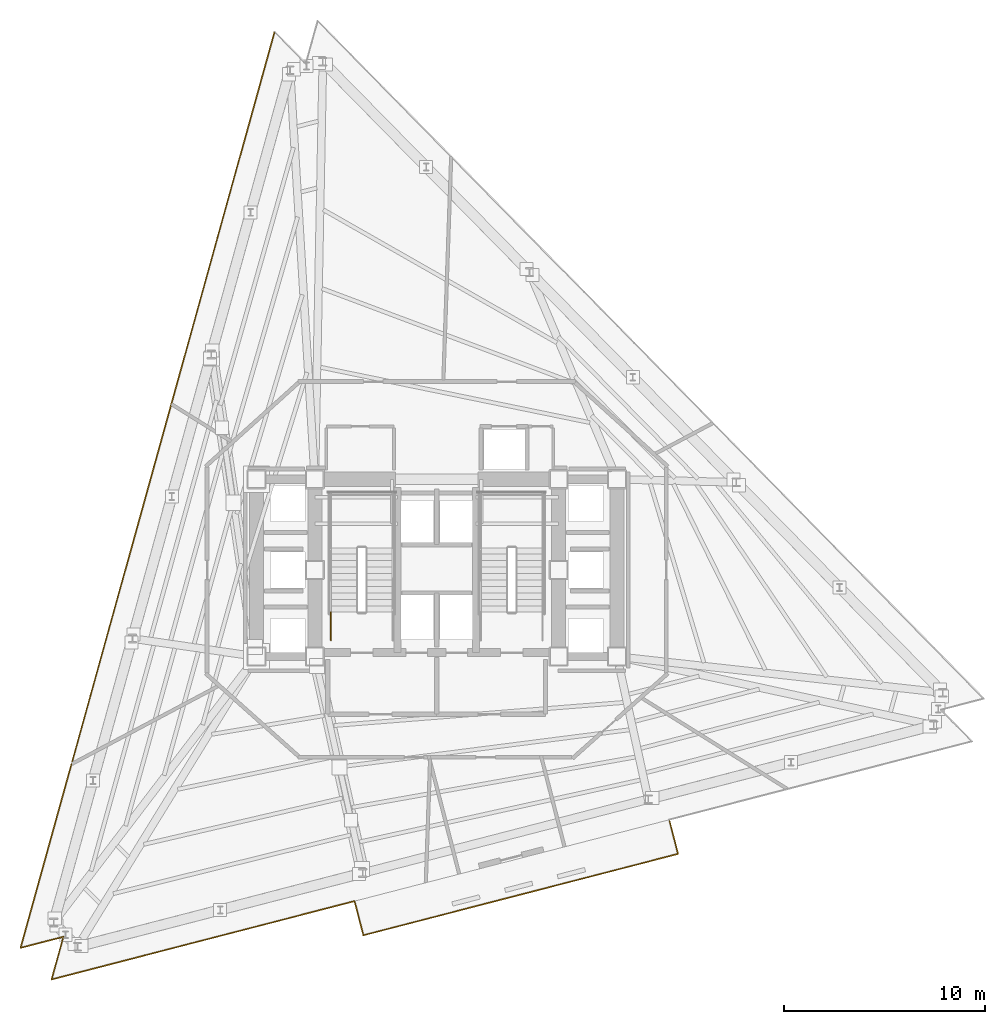
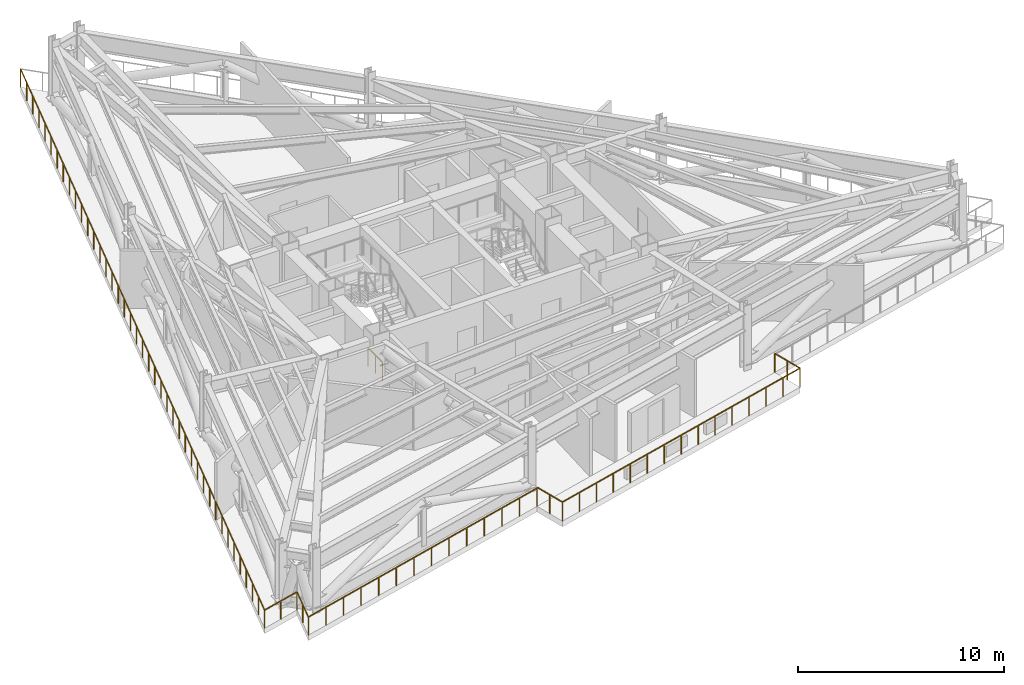
# One storey, part 9 of 11: 6 railings.
"""IFC4 building model written with IfcOpenShell, lengths in metres."""

from ifc_helpers import new_model, si_unit, direction, frame, origin, origin_2d, place, context, subcontext, project, spatial, rectangle, extrude, material, layer, layer_set, type_object, element, save


model = new_model("IFC4")

# Units and contexts
model_context = context("Model", 3, precision=1e-05, world=origin(), true_north=direction((0.0, 1.0)))
body_context = subcontext(model_context, "Body", "Model", "MODEL_VIEW")
ifc_project = project(units=[si_unit("LENGTHUNIT", "METRE"), si_unit("AREAUNIT", "SQUARE_METRE"), si_unit("VOLUMEUNIT", "CUBIC_METRE"), si_unit("PLANEANGLEUNIT", "RADIAN"), si_unit("MASSUNIT", "GRAM", prefix="KILO")], contexts=[model_context])

# Site, building, storey
site_placement = place(None, origin())
site = spatial("IfcSite", under=ifc_project, at=site_placement, CompositionType="ELEMENT")
building_placement = place(site_placement, origin())
building = spatial("IfcBuilding", under=site, at=building_placement, Name="Rocaltana Carrier Exchange", CompositionType="ELEMENT")
storey_placement = place(building_placement, frame((0.0, 0.0, 100.800048828125)))
storey = spatial("IfcBuildingStorey", under=building, at=storey_placement, Name="L31", CompositionType="ELEMENT", Elevation=100.800048828125)

# Railings
ifc_material_1 = material(Name="Anodised Aluminium 6063-T6 & Laminated Glass", Category="aluminium")
ifc_layer_1 = layer(ifc_material_1, 0.070068359375)
ifc_layer_set_1 = layer_set([ifc_layer_1], Name="Anodised Aluminium 6063-T6 & Laminated Glass")
railing_type_1 = type_object("IfcRailingType", Name="Sky-Garden Balustrade Guardrail 1150", PredefinedType="BALUSTRADE", material=ifc_layer_set_1)
railing_1_placement = place(storey_placement, frame((-4.080078125, -16.44091796875, 0.0)))
element("IfcRailing", 1, at=railing_1_placement, inside=storey, type_object=railing_type_1, Name="L31 Sky Garden Balustrade", PredefinedType="BALUSTRADE", context=body_context, shape_type="SweptSolid", body=[
    extrude(rectangle(XDim=0.048095703125, YDim=0.048095703125, at=origin_2d()), frame((0.0, 0.0, 1.1259765625), z_axis=(0.250274604743, -0.968174892373, 0.0), x_axis=(0.968174892373, 0.250274604743, 0.0)), (0.0, 0.0, 1.0), 1.75),
    extrude(rectangle(XDim=0.048095703125, YDim=0.048095703125, at=origin_2d()), frame((0.43798828125, -1.6943359375, 1.1259765625), z_axis=(0.968147038102, 0.250382332871, 0.0), x_axis=(-0.250382332871, 0.968147038102, 0.0)), (0.0, 0.0, 1.0), 16.133544921875),
    extrude(rectangle(XDim=0.048095703125, YDim=0.048095703125, at=origin_2d()), frame((16.0576171875, 2.34521484375, 1.1259765625), z_axis=(-0.250405366043, 0.968141080968, 0.0), x_axis=(-0.968141080968, -0.250405366043, 0.0)), (0.0, 0.0, 1.0), 1.75),
    extrude(rectangle(XDim=0.0419921875, YDim=0.0419921875, at=origin_2d()), origin(), (0.0, 0.0, 1.0), 1.101806640625),
    extrude(rectangle(XDim=0.0419921875, YDim=0.0419921875, at=origin_2d()), frame((0.218994140625, -0.84716796875, 0.0)), (0.0, 0.0, 1.0), 1.101806640625),
    extrude(rectangle(XDim=0.0419921875, YDim=0.0419921875, at=origin_2d()), frame((0.43798828125, -1.6943359375, 0.0)), (0.0, 0.0, 1.0), 1.101806640625),
    extrude(rectangle(XDim=0.0419921875, YDim=0.0419921875, at=origin_2d()), frame((1.5537109375, -1.40576171875, 0.0)), (0.0, 0.0, 1.0), 1.101806640625),
    extrude(rectangle(XDim=0.0419921875, YDim=0.0419921875, at=origin_2d()), frame((2.66943359375, -1.1171875, 0.0)), (0.0, 0.0, 1.0), 1.101806640625),
    extrude(rectangle(XDim=0.0419921875, YDim=0.0419921875, at=origin_2d()), frame((3.78515625, -0.82861328125, 0.0)), (0.0, 0.0, 1.0), 1.101806640625),
    extrude(rectangle(XDim=0.0419921875, YDim=0.0419921875, at=origin_2d()), frame((4.900634765625, -0.540283203125, 0.0)), (0.0, 0.0, 1.0), 1.101806640625),
    extrude(rectangle(XDim=0.0419921875, YDim=0.0419921875, at=origin_2d()), frame((6.016357421875, -0.251708984375, 0.0)), (0.0, 0.0, 1.0), 1.101806640625),
    extrude(rectangle(XDim=0.0419921875, YDim=0.0419921875, at=origin_2d()), frame((7.132080078125, 0.036865234375, 0.0)), (0.0, 0.0, 1.0), 1.101806640625),
    extrude(rectangle(XDim=0.0419921875, YDim=0.0419921875, at=origin_2d()), frame((8.247802734375, 0.325439453125, 0.0)), (0.0, 0.0, 1.0), 1.101806640625),
    extrude(rectangle(XDim=0.0419921875, YDim=0.0419921875, at=origin_2d()), frame((9.363525390625, 0.614013671875, 0.0)), (0.0, 0.0, 1.0), 1.101806640625),
    extrude(rectangle(XDim=0.0419921875, YDim=0.0419921875, at=origin_2d()), frame((10.479248046875, 0.902587890625, 0.0)), (0.0, 0.0, 1.0), 1.101806640625),
    extrude(rectangle(XDim=0.0419921875, YDim=0.0419921875, at=origin_2d()), frame((11.594970703125, 1.191162109375, 0.0)), (0.0, 0.0, 1.0), 1.101806640625),
    extrude(rectangle(XDim=0.0419921875, YDim=0.0419921875, at=origin_2d()), frame((12.71044921875, 1.4794921875, 0.0)), (0.0, 0.0, 1.0), 1.101806640625),
    extrude(rectangle(XDim=0.0419921875, YDim=0.0419921875, at=origin_2d()), frame((13.826171875, 1.76806640625, 0.0)), (0.0, 0.0, 1.0), 1.101806640625),
    extrude(rectangle(XDim=0.0419921875, YDim=0.0419921875, at=origin_2d()), frame((14.94189453125, 2.056640625, 0.0)), (0.0, 0.0, 1.0), 1.101806640625),
    extrude(rectangle(XDim=0.0419921875, YDim=0.0419921875, at=origin_2d()), frame((16.0576171875, 2.34521484375, 0.0)), (0.0, 0.0, 1.0), 1.101806640625),
    extrude(rectangle(XDim=0.0419921875, YDim=0.0419921875, at=origin_2d()), frame((15.83837890625, 3.1923828125, 0.0)), (0.0, 0.0, 1.0), 1.101806640625),
    extrude(rectangle(XDim=0.0419921875, YDim=0.0419921875, at=origin_2d()), frame((15.619384765625, 4.03955078125, 0.0)), (0.0, 0.0, 1.0), 1.101806640625),
])
ifc_material_2 = material(Name="Powder-Coated Aluminium 6063-T6", Category="aluminium")
ifc_layer_2 = layer(ifc_material_2, 0.048095703125)
ifc_layer_set_2 = layer_set([ifc_layer_2], Name="Powder-Coated Aluminium 6063-T6")
railing_type_2 = type_object("IfcRailingType", Name="Stair Well Guardrail 1100", PredefinedType="GUARDRAIL", material=ifc_layer_set_2)
railing_2_placement = place(storey_placement, frame((-5.25, -3.5, 0.0)))
element("IfcRailing", 2, at=railing_2_placement, inside=storey, type_object=railing_type_2, Name="L31 ST-1 stair guard 9", PredefinedType="GUARDRAIL", context=body_context, shape_type="SweptSolid", body=[
    extrude(rectangle(XDim=0.048095703125, YDim=0.048095703125, at=origin_2d()), frame((0.0, 0.0, 1.076171875), z_axis=(0.0, 1.0, 0.0), x_axis=(-1.0, 0.0, 0.0)), (0.0, 0.0, 1.0), 1.39990234375),
    extrude(rectangle(XDim=0.0419921875, YDim=0.0419921875, at=origin_2d()), origin(), (0.0, 0.0, 1.0), 1.052001953125),
    extrude(rectangle(XDim=0.0419921875, YDim=0.0419921875, at=origin_2d()), frame((0.0, 0.699951171875, 0.0)), (0.0, 0.0, 1.0), 1.052001953125),
    extrude(rectangle(XDim=0.0419921875, YDim=0.0419921875, at=origin_2d()), frame((0.0, 1.39990234375, 0.0)), (0.0, 0.0, 1.0), 1.052001953125),
])
ifc_material_3 = material(Name="Powder-Coated Aluminium 6063-T6", Category="aluminium")
ifc_layer_3 = layer(ifc_material_3, 0.06005859375)
ifc_layer_set_3 = layer_set([ifc_layer_3], Name="Powder-Coated Aluminium 6063-T6")
railing_type_3 = type_object("IfcRailingType", Name="Wind-Floor & Terrace Perimeter Guardrail 1100", PredefinedType="GUARDRAIL", material=ifc_layer_set_3)
railing_3_placement = place(storey_placement, frame((-8.047119140625, 26.722412109375, 0.0)))
element("IfcRailing", 3, at=railing_3_placement, inside=storey, type_object=railing_type_3, Name="L31 Wind Perimeter Guardrail 6", PredefinedType="GUARDRAIL", context=body_context, shape_type="SweptSolid", body=[
    extrude(rectangle(XDim=0.048095703125, YDim=0.048095703125, at=origin_2d()), frame((0.0, 0.0, 1.076171875), z_axis=(-0.267235674069, -0.963631202538, 0.0), x_axis=(0.963631202538, -0.267235674069, 0.0)), (0.0, 0.0, 1.0), 47.199951171875),
    extrude(rectangle(XDim=0.0419921875, YDim=0.0419921875, at=origin_2d()), origin(), (0.0, 0.0, 1.0), 1.052001953125),
    extrude(rectangle(XDim=0.0419921875, YDim=0.0419921875, at=origin_2d()), frame((-0.3154296875, -1.13720703125, 0.0)), (0.0, 0.0, 1.0), 1.052001953125),
    extrude(rectangle(XDim=0.0419921875, YDim=0.0419921875, at=origin_2d()), frame((-0.630615234375, -2.274169921875, 0.0)), (0.0, 0.0, 1.0), 1.052001953125),
    extrude(rectangle(XDim=0.0419921875, YDim=0.0419921875, at=origin_2d()), frame((-0.946044921875, -3.4111328125, 0.0)), (0.0, 0.0, 1.0), 1.052001953125),
    extrude(rectangle(XDim=0.0419921875, YDim=0.0419921875, at=origin_2d()), frame((-1.26123046875, -4.54833984375, 0.0)), (0.0, 0.0, 1.0), 1.052001953125),
    extrude(rectangle(XDim=0.0419921875, YDim=0.0419921875, at=origin_2d()), frame((-1.57666015625, -5.685546875, 0.0)), (0.0, 0.0, 1.0), 1.052001953125),
    extrude(rectangle(XDim=0.0419921875, YDim=0.0419921875, at=origin_2d()), frame((-1.89208984375, -6.822509765625, 0.0)), (0.0, 0.0, 1.0), 1.052001953125),
    extrude(rectangle(XDim=0.0419921875, YDim=0.0419921875, at=origin_2d()), frame((-2.207275390625, -7.95947265625, 0.0)), (0.0, 0.0, 1.0), 1.052001953125),
    extrude(rectangle(XDim=0.0419921875, YDim=0.0419921875, at=origin_2d()), frame((-2.522705078125, -9.0966796875, 0.0)), (0.0, 0.0, 1.0), 1.052001953125),
    extrude(rectangle(XDim=0.0419921875, YDim=0.0419921875, at=origin_2d()), frame((-2.838134765625, -10.23388671875, 0.0)), (0.0, 0.0, 1.0), 1.052001953125),
    extrude(rectangle(XDim=0.0419921875, YDim=0.0419921875, at=origin_2d()), frame((-3.1533203125, -11.370849609375, 0.0)), (0.0, 0.0, 1.0), 1.052001953125),
    extrude(rectangle(XDim=0.0419921875, YDim=0.0419921875, at=origin_2d()), frame((-3.46875, -12.508056640625, 0.0)), (0.0, 0.0, 1.0), 1.052001953125),
    extrude(rectangle(XDim=0.0419921875, YDim=0.0419921875, at=origin_2d()), frame((-3.7841796875, -13.64501953125, 0.0)), (0.0, 0.0, 1.0), 1.052001953125),
    extrude(rectangle(XDim=0.0419921875, YDim=0.0419921875, at=origin_2d()), frame((-4.099365234375, -14.7822265625, 0.0)), (0.0, 0.0, 1.0), 1.052001953125),
    extrude(rectangle(XDim=0.0419921875, YDim=0.0419921875, at=origin_2d()), frame((-4.414794921875, -15.919189453125, 0.0)), (0.0, 0.0, 1.0), 1.052001953125),
    extrude(rectangle(XDim=0.0419921875, YDim=0.0419921875, at=origin_2d()), frame((-4.72998046875, -17.05615234375, 0.0)), (0.0, 0.0, 1.0), 1.052001953125),
    extrude(rectangle(XDim=0.0419921875, YDim=0.0419921875, at=origin_2d()), frame((-5.04541015625, -18.193359375, 0.0)), (0.0, 0.0, 1.0), 1.052001953125),
    extrude(rectangle(XDim=0.0419921875, YDim=0.0419921875, at=origin_2d()), frame((-5.36083984375, -19.33056640625, 0.0)), (0.0, 0.0, 1.0), 1.052001953125),
    extrude(rectangle(XDim=0.0419921875, YDim=0.0419921875, at=origin_2d()), frame((-5.676025390625, -20.467529296875, 0.0)), (0.0, 0.0, 1.0), 1.052001953125),
    extrude(rectangle(XDim=0.0419921875, YDim=0.0419921875, at=origin_2d()), frame((-5.991455078125, -21.6044921875, 0.0)), (0.0, 0.0, 1.0), 1.052001953125),
    extrude(rectangle(XDim=0.0419921875, YDim=0.0419921875, at=origin_2d()), frame((-6.306640625, -22.74169921875, 0.0)), (0.0, 0.0, 1.0), 1.052001953125),
    extrude(rectangle(XDim=0.0419921875, YDim=0.0419921875, at=origin_2d()), frame((-6.6220703125, -23.87890625, 0.0)), (0.0, 0.0, 1.0), 1.052001953125),
    extrude(rectangle(XDim=0.0419921875, YDim=0.0419921875, at=origin_2d()), frame((-6.9375, -25.015869140625, 0.0)), (0.0, 0.0, 1.0), 1.052001953125),
    extrude(rectangle(XDim=0.0419921875, YDim=0.0419921875, at=origin_2d()), frame((-7.252685546875, -26.15283203125, 0.0)), (0.0, 0.0, 1.0), 1.052001953125),
    extrude(rectangle(XDim=0.0419921875, YDim=0.0419921875, at=origin_2d()), frame((-7.568115234375, -27.2900390625, 0.0)), (0.0, 0.0, 1.0), 1.052001953125),
    extrude(rectangle(XDim=0.0419921875, YDim=0.0419921875, at=origin_2d()), frame((-7.883544921875, -28.42724609375, 0.0)), (0.0, 0.0, 1.0), 1.052001953125),
    extrude(rectangle(XDim=0.0419921875, YDim=0.0419921875, at=origin_2d()), frame((-8.19873046875, -29.564208984375, 0.0)), (0.0, 0.0, 1.0), 1.052001953125),
    extrude(rectangle(XDim=0.0419921875, YDim=0.0419921875, at=origin_2d()), frame((-8.51416015625, -30.701416015625, 0.0)), (0.0, 0.0, 1.0), 1.052001953125),
    extrude(rectangle(XDim=0.0419921875, YDim=0.0419921875, at=origin_2d()), frame((-8.82958984375, -31.83837890625, 0.0)), (0.0, 0.0, 1.0), 1.052001953125),
    extrude(rectangle(XDim=0.0419921875, YDim=0.0419921875, at=origin_2d()), frame((-9.144775390625, -32.9755859375, 0.0)), (0.0, 0.0, 1.0), 1.052001953125),
    extrude(rectangle(XDim=0.0419921875, YDim=0.0419921875, at=origin_2d()), frame((-9.460205078125, -34.112548828125, 0.0)), (0.0, 0.0, 1.0), 1.052001953125),
    extrude(rectangle(XDim=0.0419921875, YDim=0.0419921875, at=origin_2d()), frame((-9.775390625, -35.24951171875, 0.0)), (0.0, 0.0, 1.0), 1.052001953125),
    extrude(rectangle(XDim=0.0419921875, YDim=0.0419921875, at=origin_2d()), frame((-10.0908203125, -36.38671875, 0.0)), (0.0, 0.0, 1.0), 1.052001953125),
    extrude(rectangle(XDim=0.0419921875, YDim=0.0419921875, at=origin_2d()), frame((-10.40625, -37.52392578125, 0.0)), (0.0, 0.0, 1.0), 1.052001953125),
    extrude(rectangle(XDim=0.0419921875, YDim=0.0419921875, at=origin_2d()), frame((-10.721435546875, -38.660888671875, 0.0)), (0.0, 0.0, 1.0), 1.052001953125),
    extrude(rectangle(XDim=0.0419921875, YDim=0.0419921875, at=origin_2d()), frame((-11.036865234375, -39.7978515625, 0.0)), (0.0, 0.0, 1.0), 1.052001953125),
    extrude(rectangle(XDim=0.0419921875, YDim=0.0419921875, at=origin_2d()), frame((-11.35205078125, -40.93505859375, 0.0)), (0.0, 0.0, 1.0), 1.052001953125),
    extrude(rectangle(XDim=0.0419921875, YDim=0.0419921875, at=origin_2d()), frame((-11.66748046875, -42.072265625, 0.0)), (0.0, 0.0, 1.0), 1.052001953125),
    extrude(rectangle(XDim=0.0419921875, YDim=0.0419921875, at=origin_2d()), frame((-11.98291015625, -43.209228515625, 0.0)), (0.0, 0.0, 1.0), 1.052001953125),
    extrude(rectangle(XDim=0.0419921875, YDim=0.0419921875, at=origin_2d()), frame((-12.298095703125, -44.34619140625, 0.0)), (0.0, 0.0, 1.0), 1.052001953125),
    extrude(rectangle(XDim=0.0419921875, YDim=0.0419921875, at=origin_2d()), frame((-12.613525390625, -45.4833984375, 0.0)), (0.0, 0.0, 1.0), 1.052001953125),
])
railing_4_placement = place(storey_placement, frame((-20.66064453125, -18.760986328125, 0.0)))
element("IfcRailing", 4, at=railing_4_placement, inside=storey, type_object=railing_type_3, Name="L31 Wind Perimeter Guardrail 7", PredefinedType="GUARDRAIL", context=body_context, shape_type="SweptSolid", body=[
    extrude(rectangle(XDim=0.048095703125, YDim=0.048095703125, at=origin_2d()), frame((0.0, 0.0, 1.076171875), z_axis=(0.968152477167, 0.250361300835, 0.0), x_axis=(-0.250361300835, 0.968152477167, 0.0)), (0.0, 0.0, 1.0), 2.199951171875),
    extrude(rectangle(XDim=0.0419921875, YDim=0.0419921875, at=origin_2d()), origin(), (0.0, 0.0, 1.0), 1.052001953125),
    extrude(rectangle(XDim=0.0419921875, YDim=0.0419921875, at=origin_2d()), frame((1.06494140625, 0.275390625, 0.0)), (0.0, 0.0, 1.0), 1.052001953125),
    extrude(rectangle(XDim=0.0419921875, YDim=0.0419921875, at=origin_2d()), frame((2.1298828125, 0.55078125, 0.0)), (0.0, 0.0, 1.0), 1.052001953125),
])
railing_5_placement = place(storey_placement, frame((-18.53076171875, -18.210205078125, 0.0)))
element("IfcRailing", 5, at=railing_5_placement, inside=storey, type_object=railing_type_3, Name="L31 Wind Perimeter Guardrail 8", PredefinedType="GUARDRAIL", context=body_context, shape_type="SweptSolid", body=[
    extrude(rectangle(XDim=0.048095703125, YDim=0.048095703125, at=origin_2d()), frame((0.0, 0.0, 1.076171875), z_axis=(-0.267237446942, -0.96363071088, 0.0), x_axis=(0.96363071088, -0.267237446942, 0.0)), (0.0, 0.0, 1.0), 2.199951171875),
    extrude(rectangle(XDim=0.0419921875, YDim=0.0419921875, at=origin_2d()), origin(), (0.0, 0.0, 1.0), 1.052001953125),
    extrude(rectangle(XDim=0.0419921875, YDim=0.0419921875, at=origin_2d()), frame((-0.2939453125, -1.06005859375, 0.0)), (0.0, 0.0, 1.0), 1.052001953125),
    extrude(rectangle(XDim=0.0419921875, YDim=0.0419921875, at=origin_2d()), frame((-0.587890625, -2.119873046875, 0.0)), (0.0, 0.0, 1.0), 1.052001953125),
])
railing_6_placement = place(storey_placement, frame((-19.11865234375, -20.330078125, 0.0)))
element("IfcRailing", 6, at=railing_6_placement, inside=storey, type_object=railing_type_3, Name="L31 Wind Perimeter Guardrail 9A", PredefinedType="GUARDRAIL", context=body_context, shape_type="SweptSolid", body=[
    extrude(rectangle(XDim=0.048095703125, YDim=0.048095703125, at=origin_2d()), frame((0.0, 0.0, 1.076171875), z_axis=(0.968148882255, 0.250375202025, 0.0), x_axis=(-0.250375202025, 0.968148882255, 0.0)), (0.0, 0.0, 1.0), 15.533447265625),
    extrude(rectangle(XDim=0.0419921875, YDim=0.0419921875, at=origin_2d()), origin(), (0.0, 0.0, 1.0), 1.052001953125),
    extrude(rectangle(XDim=0.0419921875, YDim=0.0419921875, at=origin_2d()), frame((1.15673828125, 0.299072265625, 0.0)), (0.0, 0.0, 1.0), 1.052001953125),
    extrude(rectangle(XDim=0.0419921875, YDim=0.0419921875, at=origin_2d()), frame((2.313720703125, 0.598388671875, 0.0)), (0.0, 0.0, 1.0), 1.052001953125),
    extrude(rectangle(XDim=0.0419921875, YDim=0.0419921875, at=origin_2d()), frame((3.470458984375, 0.8974609375, 0.0)), (0.0, 0.0, 1.0), 1.052001953125),
    extrude(rectangle(XDim=0.0419921875, YDim=0.0419921875, at=origin_2d()), frame((4.627197265625, 1.19677734375, 0.0)), (0.0, 0.0, 1.0), 1.052001953125),
    extrude(rectangle(XDim=0.0419921875, YDim=0.0419921875, at=origin_2d()), frame((5.7841796875, 1.495849609375, 0.0)), (0.0, 0.0, 1.0), 1.052001953125),
    extrude(rectangle(XDim=0.0419921875, YDim=0.0419921875, at=origin_2d()), frame((6.94091796875, 1.794921875, 0.0)), (0.0, 0.0, 1.0), 1.052001953125),
    extrude(rectangle(XDim=0.0419921875, YDim=0.0419921875, at=origin_2d()), frame((8.09765625, 2.09423828125, 0.0)), (0.0, 0.0, 1.0), 1.052001953125),
    extrude(rectangle(XDim=0.0419921875, YDim=0.0419921875, at=origin_2d()), frame((9.25439453125, 2.393310546875, 0.0)), (0.0, 0.0, 1.0), 1.052001953125),
    extrude(rectangle(XDim=0.0419921875, YDim=0.0419921875, at=origin_2d()), frame((10.411376953125, 2.6923828125, 0.0)), (0.0, 0.0, 1.0), 1.052001953125),
    extrude(rectangle(XDim=0.0419921875, YDim=0.0419921875, at=origin_2d()), frame((11.568115234375, 2.99169921875, 0.0)), (0.0, 0.0, 1.0), 1.052001953125),
    extrude(rectangle(XDim=0.0419921875, YDim=0.0419921875, at=origin_2d()), frame((12.724853515625, 3.290771484375, 0.0)), (0.0, 0.0, 1.0), 1.052001953125),
    extrude(rectangle(XDim=0.0419921875, YDim=0.0419921875, at=origin_2d()), frame((13.8818359375, 3.590087890625, 0.0)), (0.0, 0.0, 1.0), 1.052001953125),
    extrude(rectangle(XDim=0.0419921875, YDim=0.0419921875, at=origin_2d()), frame((15.03857421875, 3.88916015625, 0.0)), (0.0, 0.0, 1.0), 1.052001953125),
])

save(model, "model.ifc")
